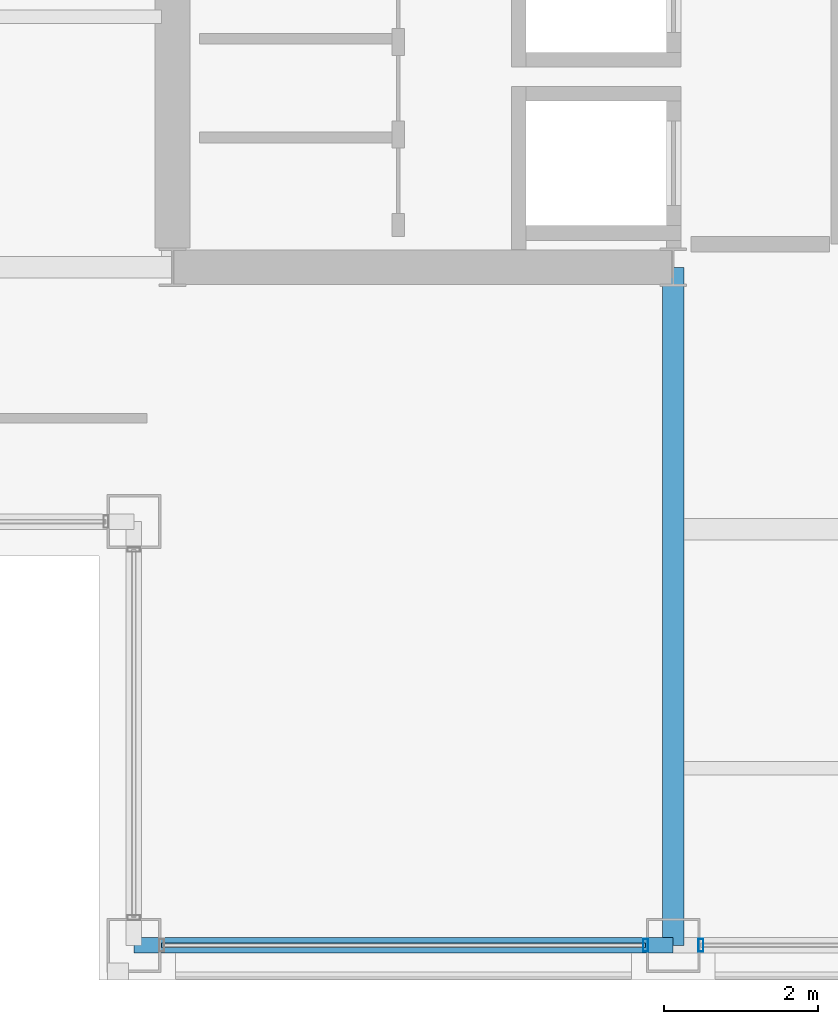
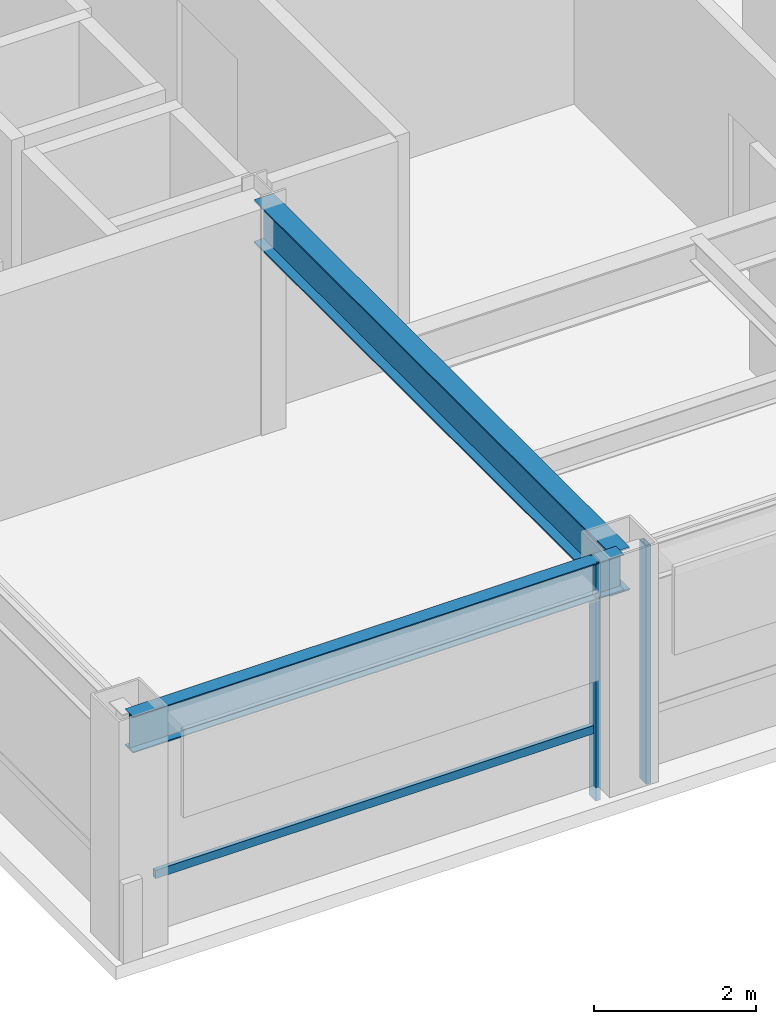
# One storey, part 3 of 26: 3 members, 2 beams, 2 elements without a shape of their own.
"""IFC4 building model written with IfcOpenShell, lengths in metres."""

from ifc_helpers import new_model, si_unit, direction, frame, origin, origin_2d, place, context, subcontext, project, spatial, hollow_rectangle, i_section, extrude, material, layer, layer_set, material_profile, profile_set, type_object, element, aggregate, save


model = new_model("IFC4")

# Units and contexts
model_context = context("Model", 3, precision=1e-05, world=origin(), true_north=direction((0.0, 1.0)))
body_context = subcontext(model_context, "Body", "Model", "MODEL_VIEW")
ifc_project = project(units=[si_unit("LENGTHUNIT", "METRE"), si_unit("AREAUNIT", "SQUARE_METRE"), si_unit("VOLUMEUNIT", "CUBIC_METRE"), si_unit("PLANEANGLEUNIT", "RADIAN"), si_unit("MASSUNIT", "GRAM", prefix="KILO")], contexts=[model_context])

# Site, building, storey
site_placement = place(None, origin())
site = spatial("IfcSite", under=ifc_project, at=site_placement, CompositionType="ELEMENT")
building_placement = place(site_placement, origin())
building = spatial("IfcBuilding", under=site, at=building_placement, Name="Brelmoor Portico Tower", CompositionType="ELEMENT")
storey_placement = place(building_placement, frame((0.0, 0.0, 205.5)))
storey = spatial("IfcBuildingStorey", under=building, at=storey_placement, Name="L54", CompositionType="ELEMENT", Elevation=205.5)

# Beams
ifc_material_1 = material(Name="Steel Q355B", Category="steel")
ifc_material_profile_1 = material_profile(ifc_material_1, i_section(OverallWidth=0.280029296875, OverallDepth=0.64990234375, WebThickness=0.012939453125, FlangeThickness=0.02197265625, at=origin_2d()), Name="HN 650x280x13x22")
ifc_profile_set_1 = profile_set([ifc_material_profile_1], Name="Steel Q355B")
beam_type_1 = type_object("IfcBeamType", Name="BM-PG-650", PredefinedType="BEAM", material=ifc_profile_set_1)
beam_1_placement = place(storey_placement, frame((-8.050048828125, -18.550048828125, 3.074951171875), z_axis=(0.0, 1.0, 0.0), x_axis=(-1.0, 0.0, 0.0)))
element("IfcBeam", 1, at=beam_1_placement, inside=storey, type_object=beam_type_1, Name="L54 Primary Floor Girder PG-03", PredefinedType="BEAM", context=body_context, shape_type="SweptSolid", body=[
    extrude(i_section(OverallWidth=0.280029296875, OverallDepth=0.64990234375, WebThickness=0.012939453125, FlangeThickness=0.02197265625, at=origin_2d()), origin(), (0.0, 0.0, 1.0), 8.800048828125),
])
ifc_material_profile_2 = material_profile(ifc_material_1, i_section(OverallWidth=0.199951171875, OverallDepth=0.550048828125, WebThickness=0.010009765625, FlangeThickness=0.01611328125, at=origin_2d()), Name="HN 550x200x10x16")
ifc_profile_set_2 = profile_set([ifc_material_profile_2], Name="Steel Q355B")
beam_type_2 = type_object("IfcBeamType", Name="BM-SP-550", PredefinedType="SPANDREL", material=ifc_profile_set_2)
beam_2_placement = place(storey_placement, frame((-15.050048828125, -18.550048828125, 3.125), z_axis=(1.0, 0.0, 0.0), x_axis=(0.0, 1.0, 0.0)))
element("IfcBeam", 2, at=beam_2_placement, inside=storey, type_object=beam_type_2, Name="L54 Perimeter Spandrel Beam SP-01", PredefinedType="SPANDREL", context=body_context, shape_type="SweptSolid", body=[
    extrude(i_section(OverallWidth=0.199951171875, OverallDepth=0.550048828125, WebThickness=0.010009765625, FlangeThickness=0.01611328125, at=origin_2d()), origin(), (0.0, 0.0, 1.0), 7.0),
])

# Curtain wall, member
ifc_material_2 = material(Name="Anodised Aluminium Alloy 6063-T6", Category="aluminium")
ifc_layer = layer(ifc_material_2, 0.179931640625)
ifc_layer_set = layer_set([ifc_layer], Name="Anodised Aluminium Alloy 6063-T6")
curtain_wall_type = type_object("IfcCurtainWallType", Name="CW-TOWER-Z3", PredefinedType="NOTDEFINED", material=ifc_layer_set)
curtain_wall_1_placement = place(storey_placement, origin())
curtain_wall_1 = element("IfcCurtainWall", 3, at=curtain_wall_1_placement, inside=storey, type_object=curtain_wall_type, Name="L54 Curtain Wall CW-L54-01-1", PredefinedType="NOTDEFINED")
ifc_material_profile_3 = material_profile(ifc_material_2, hollow_rectangle(XDim=0.06494140625, YDim=0.1650390625, WallThickness=0.00390625, at=origin_2d()), Name="ALU MULLION 65x165")
ifc_profile_set_3 = profile_set([ifc_material_profile_3], Name="Anodised Aluminium Alloy 6063-T6")
member_type_1 = type_object("IfcMemberType", Name="MB-CW-MULL-165", PredefinedType="MULLION", material=ifc_profile_set_3)
member_1_placement = place(storey_placement, frame((-8.409912109375, -18.550048828125, -0.199951171875), z_axis=(0.0, 0.0, 1.0), x_axis=(1.0, 0.0, 0.0)))
member_1 = element("IfcMember", 4, at=member_1_placement, type_object=member_type_1, Name="CW-L54-01-1 Mullion 01", PredefinedType="MULLION", context=body_context, shape_type="SweptSolid", body=[
    extrude(hollow_rectangle(XDim=0.06494140625, YDim=0.1650390625, WallThickness=0.00390625, at=origin_2d()), origin(), (0.0, 0.0, 1.0), 3.599853515625),
])

curtain_wall_2_placement = place(storey_placement, origin())
curtain_wall_2 = element("IfcCurtainWall", 5, at=curtain_wall_2_placement, inside=storey, type_object=curtain_wall_type, Name="L54 Curtain Wall CW-L54-01-2", PredefinedType="NOTDEFINED")
member_2_placement = place(storey_placement, frame((-7.68994140625, -18.550048828125, -0.199951171875), z_axis=(0.0, 0.0, 1.0), x_axis=(1.0, 0.0, 0.0)))
member_2 = element("IfcMember", 6, at=member_2_placement, type_object=member_type_1, Name="CW-L54-01-2 Mullion 00", PredefinedType="MULLION", context=body_context, shape_type="SweptSolid", body=[
    extrude(hollow_rectangle(XDim=0.06494140625, YDim=0.1650390625, WallThickness=0.00390625, at=origin_2d()), origin(), (0.0, 0.0, 1.0), 3.599853515625),
])
aggregate(curtain_wall_2, [member_2])

# Member
ifc_material_profile_4 = material_profile(ifc_material_2, hollow_rectangle(XDim=0.06005859375, YDim=0.125, WallThickness=0.00341796875, at=origin_2d()), Name="ALU TRANSOM 60x125")
ifc_profile_set_4 = profile_set([ifc_material_profile_4], Name="Anodised Aluminium Alloy 6063-T6")
member_type_2 = type_object("IfcMemberType", Name="MB-CW-TRAN-125", PredefinedType="USERDEFINED", material=ifc_profile_set_4)
member_3_placement = place(storey_placement, frame((-14.68994140625, -18.550048828125, 0.85009765625), z_axis=(1.0, 0.0, 0.0), x_axis=(0.0, 1.0, 0.0)))
member_3 = element("IfcMember", 7, at=member_3_placement, type_object=member_type_2, Name="CW-L54-01-1 Transom 1-00", ObjectType="TRANSOM", PredefinedType="USERDEFINED", context=body_context, shape_type="SweptSolid", body=[
    extrude(hollow_rectangle(XDim=0.06005859375, YDim=0.125, WallThickness=0.00341796875, at=origin_2d()), origin(), (0.0, 0.0, 1.0), 6.280029296875),
])

aggregate(curtain_wall_1, [member_1, member_3])

save(model, "model.ifc")
